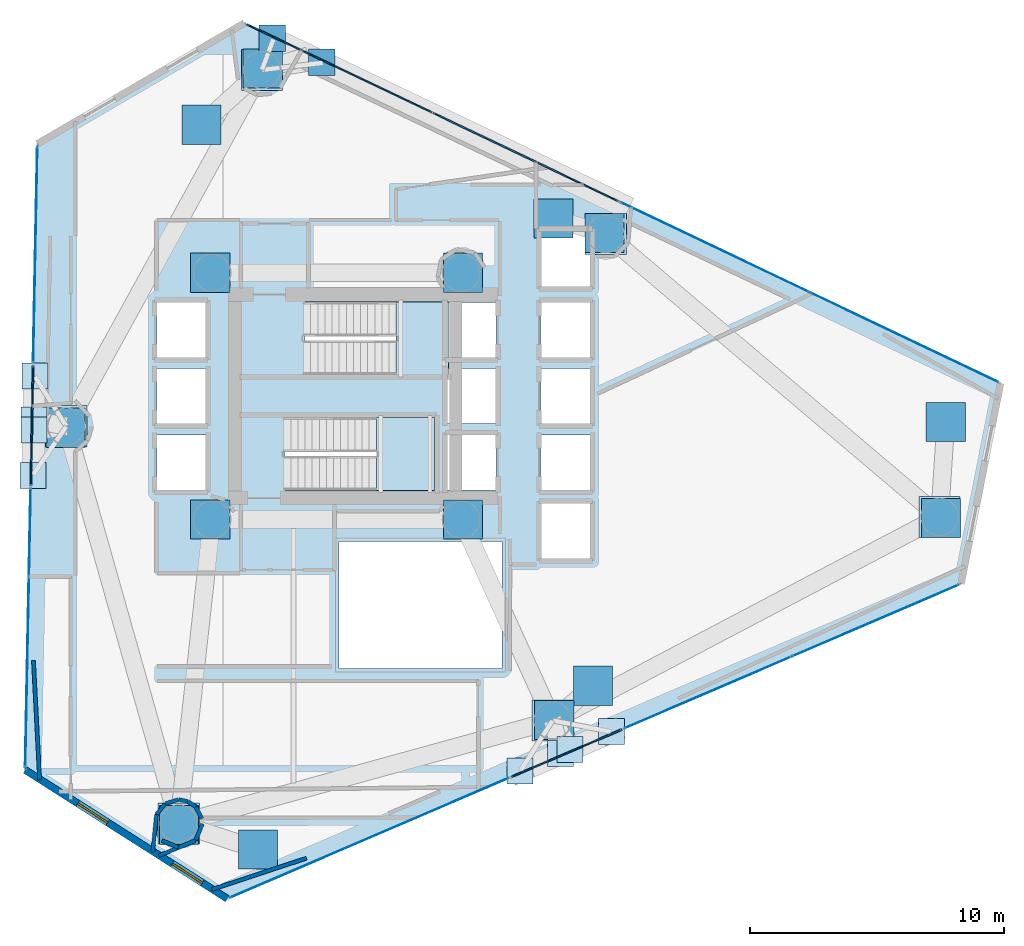
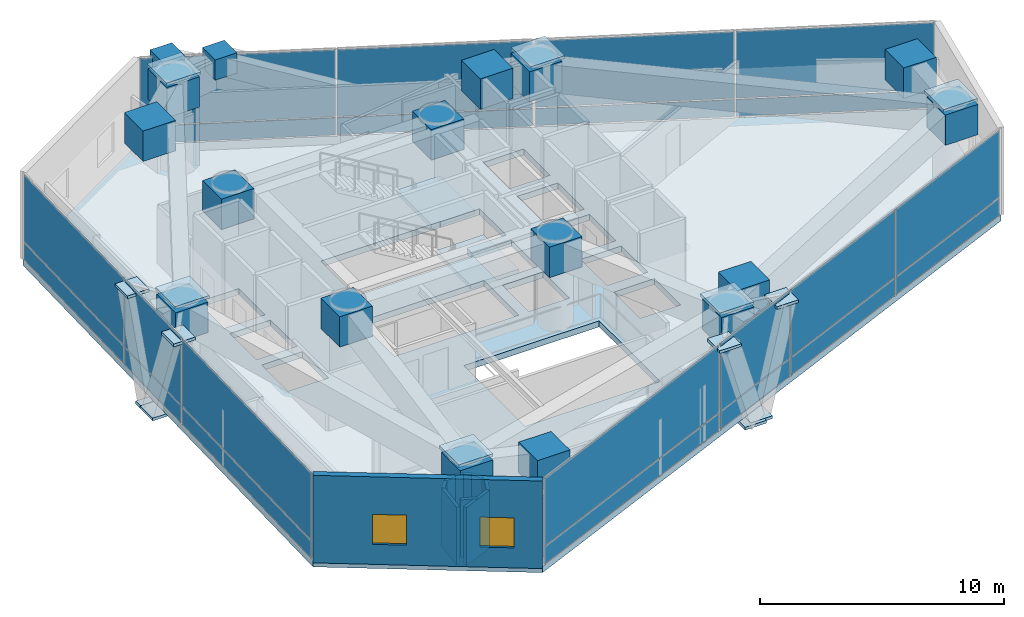
# One storey, part 17 of 22: 53 plates, 12 walls, 3 slabs, 2 windows, 2 openings, 10 elements without a shape of their own.
"""IFC4 building model written with IfcOpenShell, lengths in metres."""

from ifc_helpers import new_model, si_unit, direction, frame, frame_2d, origin, origin_2d, place, context, subcontext, project, spatial, polyline, rectangle, outline, extrude, material, layer, layer_set, type_object, element, fill, aggregate, save


model = new_model("IFC4")

# Units and contexts
model_context = context("Model", 3, precision=1e-05, world=origin(), true_north=direction((0.0, 1.0)))
body_context = subcontext(model_context, "Body", "Model", "MODEL_VIEW")
ifc_project = project(units=[si_unit("LENGTHUNIT", "METRE"), si_unit("AREAUNIT", "SQUARE_METRE"), si_unit("VOLUMEUNIT", "CUBIC_METRE"), si_unit("PLANEANGLEUNIT", "RADIAN"), si_unit("MASSUNIT", "GRAM", prefix="KILO")], contexts=[model_context])

# Site, building, storey
site_placement = place(None, origin())
site = spatial("IfcSite", under=ifc_project, at=site_placement, CompositionType="ELEMENT")
building_placement = place(site_placement, origin())
building = spatial("IfcBuilding", under=site, at=building_placement, Name="Qianvela Tower", CompositionType="ELEMENT")
storey_placement = place(building_placement, frame((0.0, 0.0, 138.5)))
storey = spatial("IfcBuildingStorey", under=building, at=storey_placement, Name="L35", CompositionType="ELEMENT", Elevation=138.5)

# Curtain wall, plates
ifc_material_1 = material(Name="Anodised Architectural Aluminium and Insulated Spandrel Panel", Category="aluminium")
ifc_layer_1 = layer(ifc_material_1, 0.179931640625)
ifc_layer_set_1 = layer_set([ifc_layer_1], Name="Anodised Architectural Aluminium and Insulated Spandrel Panel")
curtain_wall_type_1 = type_object("IfcCurtainWallType", Name="CW-BRACEBAY", PredefinedType="USERDEFINED", material=ifc_layer_set_1)
curtain_wall_1_placement = place(storey_placement, origin())
curtain_wall_1 = element("IfcCurtainWall", 1, at=curtain_wall_1_placement, inside=storey, type_object=curtain_wall_type_1, Name="L35 CW-BRACEBAY Curtain Wall 02B", ObjectType="CURTAIN_WALL_SYSTEM", PredefinedType="USERDEFINED")
ifc_material_2 = material(Name="Insulated Aluminium Spandrel Panel with Mineral-Wool Backpan", Category="aluminium")
ifc_layer_2 = layer(ifc_material_2, 0.06005859375)
ifc_layer_set_2 = layer_set([ifc_layer_2], Name="Insulated Aluminium Spandrel Panel with Mineral-Wool Backpan")
plate_type_1 = type_object("IfcPlateType", Name="CW-BRACEBAY-PNL", PredefinedType="CURTAIN_PANEL", material=ifc_layer_set_2)
plate_1_placement = place(storey_placement, frame((40.9306640625, 38.096435546875, 0.06494140625), z_axis=(0.0, 0.0, 1.0), x_axis=(-0.90278783208, 0.430086189325, 0.0)))
plate_1 = element("IfcPlate", 2, at=plate_1_placement, type_object=plate_type_1, Name="CW-9 panel 1.1", PredefinedType="CURTAIN_PANEL", context=body_context, shape_type="SweptSolid", body=[
    extrude(rectangle(XDim=8.04150390625, YDim=0.06005859375, at=origin_2d()), origin(), (0.0, 0.0, 1.0), 0.8525390625),
])
plate_2_placement = place(storey_placement, frame((40.9306640625, 38.096435546875, 0.982421875), z_axis=(0.0, 0.0, 1.0), x_axis=(-0.90278783208, 0.430086189325, 0.0)))
plate_2 = element("IfcPlate", 3, at=plate_2_placement, type_object=plate_type_1, Name="CW-9 panel 1.2", PredefinedType="CURTAIN_PANEL", context=body_context, shape_type="SweptSolid", body=[
    extrude(rectangle(XDim=8.04150390625, YDim=0.06005859375, at=origin_2d()), origin(), (0.0, 0.0, 1.0), 3.33251953125),
])
plate_3_placement = place(storey_placement, frame((33.612060546875, 41.5830078125, 0.06494140625), z_axis=(0.0, 0.0, 1.0), x_axis=(-0.90278783208, 0.430086189325, 0.0)))
plate_3 = element("IfcPlate", 4, at=plate_3_placement, type_object=plate_type_1, Name="CW-9 panel 2.1", PredefinedType="CURTAIN_PANEL", context=body_context, shape_type="SweptSolid", body=[
    extrude(rectangle(XDim=8.04150390625, YDim=0.06005859375, at=origin_2d()), origin(), (0.0, 0.0, 1.0), 0.8525390625),
])
plate_4_placement = place(storey_placement, frame((33.612060546875, 41.5830078125, 0.982421875), z_axis=(0.0, 0.0, 1.0), x_axis=(-0.90278783208, 0.430086189325, 0.0)))
plate_4 = element("IfcPlate", 5, at=plate_4_placement, type_object=plate_type_1, Name="CW-9 panel 2.2", PredefinedType="CURTAIN_PANEL", context=body_context, shape_type="SweptSolid", body=[
    extrude(rectangle(XDim=8.04150390625, YDim=0.06005859375, at=origin_2d()), origin(), (0.0, 0.0, 1.0), 3.33251953125),
])
aggregate(curtain_wall_1, [plate_1, plate_2, plate_3, plate_4])

curtain_wall_2_placement = place(storey_placement, origin())
curtain_wall_2 = element("IfcCurtainWall", 6, at=curtain_wall_2_placement, inside=storey, type_object=curtain_wall_type_1, Name="L35 CW-BRACEBAY Curtain Wall 04B", ObjectType="CURTAIN_WALL_SYSTEM", PredefinedType="USERDEFINED")
plate_5_placement = place(storey_placement, frame((21.526611328125, 27.54150390625, 0.06494140625), z_axis=(0.0, 0.0, 1.0), x_axis=(-0.019544422075, -0.99980898954, 0.0)))
plate_5 = element("IfcPlate", 7, at=plate_5_placement, type_object=plate_type_1, Name="CW-9 panel 1.1", PredefinedType="CURTAIN_PANEL", context=body_context, shape_type="SweptSolid", body=[
    extrude(rectangle(XDim=4.699951171875, YDim=0.06005859375, at=origin_2d()), origin(), (0.0, 0.0, 1.0), 0.8525390625),
])
plate_6_placement = place(storey_placement, frame((21.526611328125, 27.54150390625, 0.982421875), z_axis=(0.0, 0.0, 1.0), x_axis=(-0.019544422075, -0.99980898954, 0.0)))
plate_6 = element("IfcPlate", 8, at=plate_6_placement, type_object=plate_type_1, Name="CW-9 panel 1.2", PredefinedType="CURTAIN_PANEL", context=body_context, shape_type="SweptSolid", body=[
    extrude(rectangle(XDim=4.699951171875, YDim=0.06005859375, at=origin_2d()), origin(), (0.0, 0.0, 1.0), 3.33251953125),
])
aggregate(curtain_wall_2, [plate_5, plate_6])

curtain_wall_3_placement = place(storey_placement, origin())
curtain_wall_3 = element("IfcCurtainWall", 9, at=curtain_wall_3_placement, inside=storey, type_object=curtain_wall_type_1, Name="L35 CW-BRACEBAY Curtain Wall 06B", ObjectType="CURTAIN_WALL_SYSTEM", PredefinedType="USERDEFINED")
plate_7_placement = place(storey_placement, frame((42.5390625, 14.673095703125, 0.06494140625), z_axis=(0.0, 0.0, 1.0), x_axis=(0.918910825258, 0.394465328291, 0.0)))
plate_7 = element("IfcPlate", 10, at=plate_7_placement, type_object=plate_type_1, Name="CW-9 panel 1.1", PredefinedType="CURTAIN_PANEL", context=body_context, shape_type="SweptSolid", body=[
    extrude(rectangle(XDim=4.7099609375, YDim=0.06005859375, at=origin_2d()), origin(), (0.0, 0.0, 1.0), 0.8525390625),
])
plate_8_placement = place(storey_placement, frame((42.5390625, 14.673095703125, 0.982421875), z_axis=(0.0, 0.0, 1.0), x_axis=(0.918910825258, 0.394465328291, 0.0)))
plate_8 = element("IfcPlate", 11, at=plate_8_placement, type_object=plate_type_1, Name="CW-9 panel 1.2", PredefinedType="CURTAIN_PANEL", context=body_context, shape_type="SweptSolid", body=[
    extrude(rectangle(XDim=4.7099609375, YDim=0.06005859375, at=origin_2d()), origin(), (0.0, 0.0, 1.0), 3.33251953125),
])
aggregate(curtain_wall_3, [plate_7, plate_8])

ifc_material_3 = material(Name="Anodised Architectural Aluminium and Low-E Glass", Category="aluminium")
ifc_layer_3 = layer(ifc_material_3, 0.169921875)
ifc_layer_set_3 = layer_set([ifc_layer_3], Name="Anodised Architectural Aluminium and Low-E Glass")
curtain_wall_type_2 = type_object("IfcCurtainWallType", Name="CW-COLIV-Z34", PredefinedType="USERDEFINED", material=ifc_layer_set_3)
curtain_wall_4_placement = place(storey_placement, origin())
curtain_wall_4 = element("IfcCurtainWall", 12, at=curtain_wall_4_placement, inside=storey, type_object=curtain_wall_type_2, Name="L35 CW-COLIV-Z34 Curtain Wall 02A", ObjectType="CURTAIN_WALL_SYSTEM", PredefinedType="USERDEFINED")
ifc_material_4 = material(Name="Double-Silver Low-E Insulated Glass", Category="glass")
ifc_layer_4 = layer(ifc_material_4, 0.028076171875)
ifc_layer_set_4 = layer_set([ifc_layer_4], Name="Double-Silver Low-E Insulated Glass")
plate_type_2 = type_object("IfcPlateType", Name="CW-COLIV-Z34-PNL", PredefinedType="CURTAIN_PANEL", material=ifc_layer_set_4)
plate_9_placement = place(storey_placement, frame((55.796875, 31.01416015625, 0.06494140625), z_axis=(0.0, 0.0, 1.0), x_axis=(-0.90278625532, 0.430089499063, 0.0)))
plate_9 = element("IfcPlate", 13, at=plate_9_placement, type_object=plate_type_2, Name="CW-4 panel 1.1", PredefinedType="CURTAIN_PANEL", context=body_context, shape_type="SweptSolid", body=[
    extrude(rectangle(XDim=8.16748046875, YDim=0.028076171875, at=origin_2d()), origin(), (0.0, 0.0, 1.0), 0.8525390625),
])
plate_10_placement = place(storey_placement, frame((55.796875, 31.01416015625, 0.982421875), z_axis=(0.0, 0.0, 1.0), x_axis=(-0.90278625532, 0.430089499063, 0.0)))
plate_10 = element("IfcPlate", 14, at=plate_10_placement, type_object=plate_type_2, Name="CW-4 panel 1.2", PredefinedType="CURTAIN_PANEL", context=body_context, shape_type="SweptSolid", body=[
    extrude(rectangle(XDim=8.16748046875, YDim=0.028076171875, at=origin_2d()), origin(), (0.0, 0.0, 1.0), 3.33251953125),
])
plate_11_placement = place(storey_placement, frame((48.36474609375, 34.554931640625, 0.06494140625), z_axis=(0.0, 0.0, 1.0), x_axis=(-0.90278625532, 0.430089499063, 0.0)))
plate_11 = element("IfcPlate", 15, at=plate_11_placement, type_object=plate_type_2, Name="CW-4 panel 2.1", PredefinedType="CURTAIN_PANEL", context=body_context, shape_type="SweptSolid", body=[
    extrude(rectangle(XDim=8.16748046875, YDim=0.028076171875, at=origin_2d()), origin(), (0.0, 0.0, 1.0), 0.8525390625),
])
plate_12_placement = place(storey_placement, frame((48.36474609375, 34.554931640625, 0.982421875), z_axis=(0.0, 0.0, 1.0), x_axis=(-0.90278625532, 0.430089499063, 0.0)))
plate_12 = element("IfcPlate", 16, at=plate_12_placement, type_object=plate_type_2, Name="CW-4 panel 2.2", PredefinedType="CURTAIN_PANEL", context=body_context, shape_type="SweptSolid", body=[
    extrude(rectangle(XDim=8.16748046875, YDim=0.028076171875, at=origin_2d()), origin(), (0.0, 0.0, 1.0), 3.33251953125),
])
aggregate(curtain_wall_4, [plate_9, plate_10, plate_11, plate_12])

curtain_wall_5_placement = place(storey_placement, origin())
curtain_wall_5 = element("IfcCurtainWall", 17, at=curtain_wall_5_placement, inside=storey, type_object=curtain_wall_type_2, Name="L35 CW-COLIV-Z34 Curtain Wall 04A", ObjectType="CURTAIN_WALL_SYSTEM", PredefinedType="USERDEFINED")
plate_13_placement = place(storey_placement, frame((21.657958984375, 34.26025390625, 0.06494140625), z_axis=(0.0, 0.0, 1.0), x_axis=(-0.019547163079, -0.999808935955, 0.0)))
plate_13 = element("IfcPlate", 18, at=plate_13_placement, type_object=plate_type_2, Name="CW-4 panel 1.1", PredefinedType="CURTAIN_PANEL", context=body_context, shape_type="SweptSolid", body=[
    extrude(rectangle(XDim=8.47998046875, YDim=0.028076171875, at=origin_2d()), origin(), (0.0, 0.0, 1.0), 0.8525390625),
])
plate_14_placement = place(storey_placement, frame((21.657958984375, 34.26025390625, 0.982421875), z_axis=(0.0, 0.0, 1.0), x_axis=(-0.019547163079, -0.999808935955, 0.0)))
plate_14 = element("IfcPlate", 19, at=plate_14_placement, type_object=plate_type_2, Name="CW-4 panel 1.2", PredefinedType="CURTAIN_PANEL", context=body_context, shape_type="SweptSolid", body=[
    extrude(rectangle(XDim=8.47998046875, YDim=0.028076171875, at=origin_2d()), origin(), (0.0, 0.0, 1.0), 3.33251953125),
])
aggregate(curtain_wall_5, [plate_13, plate_14])

curtain_wall_6_placement = place(storey_placement, origin())
curtain_wall_6 = element("IfcCurtainWall", 20, at=curtain_wall_6_placement, inside=storey, type_object=curtain_wall_type_2, Name="L35 CW-COLIV-Z34 Curtain Wall 04C", ObjectType="CURTAIN_WALL_SYSTEM", PredefinedType="USERDEFINED")
plate_15_placement = place(storey_placement, frame((21.371337890625, 19.593994140625, 0.06494140625), z_axis=(0.0, 0.0, 1.0), x_axis=(-0.019542801881, -0.999809021211, 0.0)))
plate_15 = element("IfcPlate", 21, at=plate_15_placement, type_object=plate_type_2, Name="CW-4 panel 1.1", PredefinedType="CURTAIN_PANEL", context=body_context, shape_type="SweptSolid", body=[
    extrude(rectangle(XDim=10.93798828125, YDim=0.028076171875, at=origin_2d()), origin(), (0.0, 0.0, 1.0), 0.8525390625),
])
plate_16_placement = place(storey_placement, frame((21.371337890625, 19.593994140625, 0.982421875), z_axis=(0.0, 0.0, 1.0), x_axis=(-0.019542801881, -0.999809021211, 0.0)))
plate_16 = element("IfcPlate", 22, at=plate_16_placement, type_object=plate_type_2, Name="CW-4 panel 1.2", PredefinedType="CURTAIN_PANEL", context=body_context, shape_type="SweptSolid", body=[
    extrude(rectangle(XDim=10.93798828125, YDim=0.028076171875, at=origin_2d()), origin(), (0.0, 0.0, 1.0), 3.33251953125),
])
aggregate(curtain_wall_6, [plate_15, plate_16])

curtain_wall_7_placement = place(storey_placement, origin())
curtain_wall_7 = element("IfcCurtainWall", 23, at=curtain_wall_7_placement, inside=storey, type_object=curtain_wall_type_2, Name="L35 CW-COLIV-Z34 Curtain Wall 06A", ObjectType="CURTAIN_WALL_SYSTEM", PredefinedType="USERDEFINED")
plate_17_placement = place(storey_placement, frame((34.783447265625, 11.34375, 0.06494140625), z_axis=(0.0, 0.0, 1.0), x_axis=(0.918906863806, 0.394474556403, 0.0)))
plate_17 = element("IfcPlate", 24, at=plate_17_placement, type_object=plate_type_2, Name="CW-4 panel 1.1", PredefinedType="CURTAIN_PANEL", context=body_context, shape_type="SweptSolid", body=[
    extrude(rectangle(XDim=11.91015625, YDim=0.028076171875, at=origin_2d()), origin(), (0.0, 0.0, 1.0), 0.8525390625),
])
plate_18_placement = place(storey_placement, frame((34.783447265625, 11.34375, 0.982421875), z_axis=(0.0, 0.0, 1.0), x_axis=(0.918906863806, 0.394474556403, 0.0)))
plate_18 = element("IfcPlate", 25, at=plate_18_placement, type_object=plate_type_2, Name="CW-4 panel 1.2", PredefinedType="CURTAIN_PANEL", context=body_context, shape_type="SweptSolid", body=[
    extrude(rectangle(XDim=11.91015625, YDim=0.028076171875, at=origin_2d()), origin(), (0.0, 0.0, 1.0), 3.33251953125),
])
aggregate(curtain_wall_7, [plate_17, plate_18])

curtain_wall_8_placement = place(storey_placement, origin())
curtain_wall_8 = element("IfcCurtainWall", 26, at=curtain_wall_8_placement, inside=storey, type_object=curtain_wall_type_2, Name="L35 CW-COLIV-Z34 Curtain Wall 06C", ObjectType="CURTAIN_WALL_SYSTEM", PredefinedType="USERDEFINED")
plate_19_placement = place(storey_placement, frame((48.084228515625, 17.0537109375, 0.06494140625), z_axis=(0.0, 0.0, 1.0), x_axis=(0.918908041819, 0.394471812276, 0.0)))
plate_19 = element("IfcPlate", 27, at=plate_19_placement, type_object=plate_type_2, Name="CW-4 panel 1.1", PredefinedType="CURTAIN_PANEL", context=body_context, shape_type="SweptSolid", body=[
    extrude(rectangle(XDim=7.09912109375, YDim=0.028076171875, at=origin_2d()), origin(), (0.0, 0.0, 1.0), 0.8525390625),
])
plate_20_placement = place(storey_placement, frame((48.084228515625, 17.0537109375, 0.982421875), z_axis=(0.0, 0.0, 1.0), x_axis=(0.918908041819, 0.394471812276, 0.0)))
plate_20 = element("IfcPlate", 28, at=plate_20_placement, type_object=plate_type_2, Name="CW-4 panel 1.2", PredefinedType="CURTAIN_PANEL", context=body_context, shape_type="SweptSolid", body=[
    extrude(rectangle(XDim=7.09912109375, YDim=0.028076171875, at=origin_2d()), origin(), (0.0, 0.0, 1.0), 3.33251953125),
])
plate_21_placement = place(storey_placement, frame((54.667236328125, 19.879638671875, 0.06494140625), z_axis=(0.0, 0.0, 1.0), x_axis=(0.918908041819, 0.394471812276, 0.0)))
plate_21 = element("IfcPlate", 29, at=plate_21_placement, type_object=plate_type_2, Name="CW-4 panel 2.1", PredefinedType="CURTAIN_PANEL", context=body_context, shape_type="SweptSolid", body=[
    extrude(rectangle(XDim=7.09912109375, YDim=0.028076171875, at=origin_2d()), origin(), (0.0, 0.0, 1.0), 0.8525390625),
])
plate_22_placement = place(storey_placement, frame((54.667236328125, 19.879638671875, 0.982421875), z_axis=(0.0, 0.0, 1.0), x_axis=(0.918908041819, 0.394471812276, 0.0)))
plate_22 = element("IfcPlate", 30, at=plate_22_placement, type_object=plate_type_2, Name="CW-4 panel 2.2", PredefinedType="CURTAIN_PANEL", context=body_context, shape_type="SweptSolid", body=[
    extrude(rectangle(XDim=7.09912109375, YDim=0.028076171875, at=origin_2d()), origin(), (0.0, 0.0, 1.0), 3.33251953125),
])
aggregate(curtain_wall_8, [plate_19, plate_20, plate_21, plate_22])

# Plates
ifc_material_5 = material(Name="Steel Q420GJC", Category="steel")
ifc_layer_5 = layer(ifc_material_5, 0.139892578125)
ifc_layer_set_5 = layer_set([ifc_layer_5], Name="Steel Q420GJC")
plate_type_3 = type_object("IfcPlateType", Name="PT-GUSSET-NODE-140", PredefinedType="USERDEFINED", material=ifc_layer_set_5)
for number, where, z_axis, x_axis, name in (
    (31, (57.194091796875, 23.9580078125, 4.59521484375), (0.0, 0.0, 1.0), (1.0, 0.0, 0.0), "L35 Node Gusset Plate TOP"),
    (32, (44.071044921875, 35.070068359375, 4.59521484375), (0.0, 0.0, 1.0), (1.0, 0.0, 0.0), "L35 Node Gusset Plate TOP"),
    (33, (30.56396484375, 41.52099609375, 4.59521484375), (0.0, 0.0, 1.0), (1.0, 0.0, 0.0), "L35 Node Gusset Plate TOP"),
    (34, (22.8779296875, 27.51611328125, 4.59521484375), (0.0, 0.0, 1.0), (1.0, 0.0, 0.0), "L35 Node Gusset Plate TOP"),
    (35, (27.2919921875, 11.908935546875, 4.59521484375), (0.0, 0.0, 1.0), (1.0, 0.0, 0.0), "L35 Node Gusset Plate TOP"),
    (36, (41.988037109375, 15.95703125, 4.59521484375), (0.0, 0.0, 1.0), (1.0, 0.0, 0.0), "L35 Node Gusset Plate TOP"),
):
    element("IfcPlate", number, at=place(storey_placement, frame(where, z_axis=z_axis, x_axis=x_axis)), inside=storey, type_object=plate_type_3, Name=name, ObjectType="GUSSET_PLATE", PredefinedType="USERDEFINED", context=body_context, shape_type="SweptSolid", body=[
        extrude(rectangle(XDim=1.6201171875, YDim=1.6201171875, at=origin_2d()), origin(), (0.0, 0.0, 1.0), 0.139892578125),
    ])
for number, where, z_axis, x_axis, name in (
    (37, (32.910888671875, 41.828369140625, 3.58984375), (0.0, 0.0, 1.0), (1.0, 0.0, 0.0), "L35 Node Gusset Plate B"),
    (38, (30.961669921875, 42.757080078125, 3.58740234375), (0.0, 0.0, 1.0), (1.0, 0.0, 0.0), "L35 Node Gusset Plate B"),
):
    element("IfcPlate", number, at=place(storey_placement, frame(where, z_axis=z_axis, x_axis=x_axis)), inside=storey, type_object=plate_type_3, Name=name, ObjectType="GUSSET_PLATE", PredefinedType="USERDEFINED", context=body_context, shape_type="SweptSolid", body=[
        extrude(rectangle(XDim=1.0400390625, YDim=1.0400390625, at=origin_2d()), origin(), (0.0, 0.0, 1.0), 1.02001953125),
    ])
for number, where, z_axis, x_axis, name in (
    (39, (21.611083984375, 27.7607421875, -0.73291015625), (0.0, 0.0, 1.0), (1.0, 0.0, 0.0), "L35 Node Gusset Plate A"),
    (40, (21.64501953125, 29.501220703125, 4.0693359375), (0.0, 0.0, 1.0), (1.0, 0.0, 0.0), "L35 Node Gusset Plate B"),
    (41, (21.603271484375, 27.365478515625, -0.73291015625), (0.0, 0.0, 1.0), (1.0, 0.0, 0.0), "L35 Node Gusset Plate A"),
    (42, (21.568359375, 25.580078125, 4.06884765625), (0.0, 0.0, 1.0), (1.0, 0.0, 0.0), "L35 Node Gusset Plate B"),
    (43, (42.3046875, 14.65966796875, -0.73291015625), (0.0, 0.0, 1.0), (1.0, 0.0, 0.0), "L35 Node Gusset Plate A"),
    (44, (40.705810546875, 13.973388671875, 4.0693359375), (0.0, 0.0, 1.0), (1.0, 0.0, 0.0), "L35 Node Gusset Plate B"),
    (45, (42.66796875, 14.815673828125, -0.73291015625), (0.0, 0.0, 1.0), (1.0, 0.0, 0.0), "L35 Node Gusset Plate A"),
    (46, (44.309814453125, 15.520263671875, 4.06884765625), (0.0, 0.0, 1.0), (1.0, 0.0, 0.0), "L35 Node Gusset Plate B"),
):
    element("IfcPlate", number, at=place(storey_placement, frame(where, z_axis=z_axis, x_axis=x_axis)), inside=storey, type_object=plate_type_3, Name=name, ObjectType="GUSSET_PLATE", PredefinedType="USERDEFINED", context=body_context, shape_type="SweptSolid", body=[
        extrude(rectangle(XDim=1.02001953125, YDim=1.02001953125, at=origin_2d()), origin(), (0.0, 0.0, 1.0), 0.139892578125),
    ])
for number, where, z_axis, x_axis, name in (
    (47, (28.534912109375, 23.85009765625, 2.91796875), (0.0, 0.0, 1.0), (1.0, 0.0, 0.0), "L35 Node Gusset Plate A"),
    (48, (38.465087890625, 23.85009765625, 2.91796875), (0.0, 0.0, 1.0), (1.0, 0.0, 0.0), "L35 Node Gusset Plate B"),
    (49, (28.534912109375, 33.550048828125, 2.91796875), (0.0, 0.0, 1.0), (1.0, 0.0, 0.0), "L35 Node Gusset Plate A"),
    (50, (38.465087890625, 33.550048828125, 2.91796875), (0.0, 0.0, 1.0), (1.0, 0.0, 0.0), "L35 Node Gusset Plate B"),
    (51, (57.24365234375, 23.916015625, 2.91796875), (0.0, 0.0, 1.0), (1.0, 0.0, 0.0), "L35 Node Gusset Plate A"),
    (52, (44.021484375, 35.112060546875, 2.91796875), (0.0, 0.0, 1.0), (1.0, 0.0, 0.0), "L35 Node Gusset Plate B"),
    (53, (30.59521484375, 41.577880859375, 2.91796875), (0.0, 0.0, 1.0), (1.0, 0.0, 0.0), "L35 Node Gusset Plate A"),
    (54, (22.8466796875, 27.458984375, 2.91796875), (0.0, 0.0, 1.0), (1.0, 0.0, 0.0), "L35 Node Gusset Plate B"),
    (55, (27.309814453125, 11.846435546875, 2.91796875), (0.0, 0.0, 1.0), (1.0, 0.0, 0.0), "L35 Node Gusset Plate B"),
    (56, (42.05078125, 15.974365234375, 2.91796875), (0.0, 0.0, 1.0), (1.0, 0.0, 0.0), "L35 Node Gusset Plate B"),
    (57, (57.438232421875, 27.682861328125, 2.91796875), (0.0, 0.0, 1.0), (1.0, 0.0, 0.0), "L35 Node Gusset Plate B"),
    (58, (42.020751953125, 35.687744140625, 2.91796875), (0.0, 0.0, 1.0), (1.0, 0.0, 0.0), "L35 Node Gusset Plate B"),
    (59, (28.186767578125, 39.367431640625, 2.91796875), (0.0, 0.0, 1.0), (1.0, 0.0, 0.0), "L35 Node Gusset Plate B"),
    (60, (30.40869140625, 10.888916015625, 2.91796875), (0.0, 0.0, 1.0), (1.0, 0.0, 0.0), "L35 Node Gusset Plate B"),
    (61, (43.57421875, 17.3212890625, 2.91796875), (0.0, 0.0, 1.0), (1.0, 0.0, 0.0), "L35 Node Gusset Plate B"),
):
    element("IfcPlate", number, at=place(storey_placement, frame(where, z_axis=z_axis, x_axis=x_axis)), inside=storey, type_object=plate_type_3, Name=name, ObjectType="GUSSET_PLATE", PredefinedType="USERDEFINED", context=body_context, shape_type="SweptSolid", body=[
        extrude(rectangle(XDim=1.5400390625, YDim=1.5400390625, at=origin_2d()), origin(), (0.0, 0.0, 1.0), 1.52001953125),
    ])

# Stair, slab
ifc_material_6 = material(Name="Concrete C40", Category="concrete")
stair_type = type_object("IfcStairType", Name="ST-DOGLEG-1350-R164-N28", PredefinedType="HALF_TURN_STAIR", material=ifc_material_6)
stair_1_placement = place(storey_placement, origin())
stair_1 = element("IfcStair", 62, at=stair_1_placement, inside=storey, type_object=stair_type, Name="L35 Smoke-Proof Core Stair ST-1", PredefinedType="HALF_TURN_STAIR")
ifc_material_7 = material(Name="Concrete C40", Category="concrete")
ifc_layer_6 = layer(ifc_material_7, 0.199951171875)
ifc_layer_set_6 = layer_set([ifc_layer_6], Name="Concrete C40")
slab_type_1 = type_object("IfcSlabType", Name="SL-STAIR-LANDING-200", PredefinedType="LANDING", material=ifc_layer_set_6)
slab_1_placement = place(storey_placement, frame((0.0, 0.0, 2.10009765625)))
slab_1 = element("IfcSlab", 63, at=slab_1_placement, type_object=slab_type_1, Name="ST-1 landing 1", PredefinedType="LANDING", context=body_context, shape_type="SweptSolid", body=[
    extrude(outline(polyline([(35.840087890625, 29.5400390625), (37.89990234375, 29.5400390625), (37.89990234375, 32.39990234375), (35.840087890625, 32.39990234375), (35.840087890625, 29.5400390625)])), origin(), (0.0, 0.0, 1.0), 0.199951171875),
])
aggregate(stair_1, [slab_1])

stair_2_placement = place(storey_placement, origin())
stair_2 = element("IfcStair", 64, at=stair_2_placement, inside=storey, type_object=stair_type, Name="L35 Smoke-Proof Core Stair ST-2", PredefinedType="HALF_TURN_STAIR")
slab_2_placement = place(storey_placement, frame((0.0, 0.0, 2.10009765625)))
slab_2 = element("IfcSlab", 65, at=slab_2_placement, type_object=slab_type_1, Name="ST-2 landing 1", PredefinedType="LANDING", context=body_context, shape_type="SweptSolid", body=[
    extrude(outline(polyline([(35.06005859375, 25.0), (37.35009765625, 25.0), (37.35009765625, 27.860107421875), (35.06005859375, 27.860107421875), (35.06005859375, 25.0)])), origin(), (0.0, 0.0, 1.0), 0.199951171875),
])
aggregate(stair_2, [slab_2])

# Slab
ifc_material_8 = material(Name="Concrete C40", Category="concrete")
ifc_layer_7 = layer(ifc_material_8, 0.300048828125)
ifc_layer_set_7 = layer_set([ifc_layer_7], Name="Concrete C40")
slab_type_2 = type_object("IfcSlabType", Name="SL-TRANS-300", PredefinedType="FLOOR", material=ifc_layer_set_7)
slab_3_placement = place(storey_placement, frame((0.0, 0.0, -0.300048828125)))
element("IfcSlab", 66, at=slab_3_placement, inside=storey, type_object=slab_type_2, Name="L35 Composite Structural Floor Slab", PredefinedType="FLOOR", context=body_context, shape_type="SweptSolid", body=[
    extrude(outline(polyline([(58.03466796875, 21.3251953125), (59.58740234375, 29.20849609375), (29.87841796875, 43.36181640625), (21.7431640625, 38.614501953125), (21.26220703125, 14.010986328125), (29.20556640625, 8.949462890625), (58.03466796875, 21.3251953125)]), holes=[polyline([(40.0, 23.0), (33.60009765625, 23.0), (33.60009765625, 18.0), (40.0, 18.0), (40.0, 23.0)]), polyline([(28.360107421875, 25.02001953125), (28.360107421875, 27.179931640625), (26.43994140625, 27.179931640625), (26.43994140625, 25.02001953125), (28.360107421875, 25.02001953125)]), polyline([(37.35009765625, 25.0), (37.35009765625, 27.860107421875), (31.469970703125, 27.860107421875), (31.469970703125, 25.0), (37.35009765625, 25.0)]), polyline([(28.360107421875, 27.6201171875), (28.360107421875, 29.780029296875), (26.43994140625, 29.780029296875), (26.43994140625, 27.6201171875), (28.360107421875, 27.6201171875)]), polyline([(37.89990234375, 32.3798828125), (37.89990234375, 32.39990234375), (32.25, 32.39990234375), (32.25, 29.5400390625), (37.840087890625, 29.5400390625), (37.840087890625, 27.6201171875), (39.760009765625, 27.6201171875), (39.760009765625, 29.780029296875), (37.89990234375, 29.780029296875), (37.89990234375, 30.219970703125), (39.760009765625, 30.219970703125), (39.760009765625, 32.3798828125), (37.89990234375, 32.3798828125)]), polyline([(28.360107421875, 30.219970703125), (28.360107421875, 32.3798828125), (26.43994140625, 32.3798828125), (26.43994140625, 30.219970703125), (28.360107421875, 30.219970703125)]), polyline([(43.4599609375, 24.47998046875), (41.5400390625, 24.47998046875), (41.5400390625, 22.320068359375), (43.4599609375, 22.320068359375), (43.4599609375, 24.47998046875)]), polyline([(39.760009765625, 25.02001953125), (39.760009765625, 27.179931640625), (37.840087890625, 27.179931640625), (37.840087890625, 25.02001953125), (39.760009765625, 25.02001953125)]), polyline([(43.4599609375, 25.02001953125), (43.4599609375, 27.179931640625), (41.5400390625, 27.179931640625), (41.5400390625, 25.02001953125), (43.4599609375, 25.02001953125)]), polyline([(43.4599609375, 27.6201171875), (43.4599609375, 29.780029296875), (41.5400390625, 29.780029296875), (41.5400390625, 27.6201171875), (43.4599609375, 27.6201171875)]), polyline([(43.4599609375, 30.219970703125), (43.4599609375, 32.3798828125), (41.5400390625, 32.3798828125), (41.5400390625, 30.219970703125), (43.4599609375, 30.219970703125)]), polyline([(43.4599609375, 33.02001953125), (43.4599609375, 35.179931640625), (41.5400390625, 35.179931640625), (41.5400390625, 33.02001953125), (43.4599609375, 33.02001953125)])]), origin(), (0.0, 0.0, 1.0), 0.300048828125),
])

# Wall, openings, windows
ifc_material_9 = material(Name="Terracotta Cladding on Concrete C40", Category="masonry")
ifc_layer_8 = layer(ifc_material_9, 0.280029296875)
ifc_layer_set_8 = layer_set([ifc_layer_8], Name="Terracotta Cladding on Concrete C40")
wall_type_1 = type_object("IfcWallType", Name="TERRACOTTA-WALL-280", PredefinedType="SOLIDWALL", material=ifc_layer_set_8)
wall_1_placement = place(storey_placement, frame((21.26220703125, 14.010986328125, 0.0), z_axis=(0.0, 0.0, 1.0), x_axis=(0.843341146408, -0.537378554442, 0.0)))
wall_1 = element("IfcWall", 67, at=wall_1_placement, inside=storey, type_object=wall_type_1, Name="L35 Terracotta Chamfer Facet Wall 5", PredefinedType="SOLIDWALL", context=body_context, shape_type="SweptSolid", body=[
    extrude(rectangle(XDim=9.4189453125, YDim=0.280029296875, at=frame_2d((4.70947265625, 0.0))), origin(), (0.0, 0.0, 1.0), 4.3798828125),
])
opening_1_placement = place(wall_1_placement, frame((2.44580078125, 0.0, 1.0)))
opening_1 = element("IfcOpeningElement", 68, at=opening_1_placement, cuts=wall_1, Name="Opening W-06", PredefinedType="OPENING", context=body_context, shape_type="SweptSolid", body=[
    extrude(rectangle(XDim=1.39990234375, YDim=1.5, at=frame_2d((0.699951171875, 0.75))), frame((0.0, 0.14990234375, 0.0), z_axis=(0.0, -1.0, 0.0), x_axis=(1.0, 0.0, 0.0)), (0.0, 0.0, 1.0), 0.300048828125),
])
opening_2_placement = place(wall_1_placement, frame((6.853271484375, 0.0, 1.0)))
opening_2 = element("IfcOpeningElement", 69, at=opening_2_placement, cuts=wall_1, Name="Opening W-06", PredefinedType="OPENING", context=body_context, shape_type="SweptSolid", body=[
    extrude(rectangle(XDim=1.39990234375, YDim=1.5, at=frame_2d((0.699951171875, 0.75))), frame((0.0, 0.14990234375, 0.0), z_axis=(0.0, -1.0, 0.0), x_axis=(1.0, 0.0, 0.0)), (0.0, 0.0, 1.0), 0.300048828125),
])
ifc_material_10 = material(Name="Thermally Broken Aluminium and Low-E Glass", Category="aluminium")
window_type = type_object("IfcWindowType", Name="WIN-REF-1400x1500", PartitioningType="SINGLE_PANEL", PredefinedType="WINDOW", material=ifc_material_10)
window_1_placement = place(opening_1_placement, origin())
window_1 = element("IfcWindow", 70, at=window_1_placement, inside=storey, type_object=window_type, Name="L35 Chamfer Facet Window 5.1", OverallHeight=1.5, OverallWidth=1.39990234375, PartitioningType="SINGLE_PANEL", PredefinedType="WINDOW", context=body_context, shape_type="SweptSolid", body=[
    extrude(rectangle(XDim=1.39990234375, YDim=1.5, at=frame_2d((0.699951171875, 0.75))), frame((0.0, 0.030029296875, 0.0), z_axis=(0.0, -1.0, 0.0), x_axis=(1.0, 0.0, 0.0)), (0.0, 0.0, 1.0), 0.06005859375),
])
fill(opening_1, window_1)
window_2_placement = place(opening_2_placement, origin())
window_2 = element("IfcWindow", 71, at=window_2_placement, inside=storey, type_object=window_type, Name="L35 Chamfer Facet Window 5.2", OverallHeight=1.5, OverallWidth=1.39990234375, PartitioningType="SINGLE_PANEL", PredefinedType="WINDOW", context=body_context, shape_type="SweptSolid", body=[
    extrude(rectangle(XDim=1.39990234375, YDim=1.5, at=frame_2d((0.699951171875, 0.75))), frame((0.0, 0.030029296875, 0.0), z_axis=(0.0, -1.0, 0.0), x_axis=(1.0, 0.0, 0.0)), (0.0, 0.0, 1.0), 0.06005859375),
])
fill(opening_2, window_2)

# Walls
ifc_material_11 = material(Name="Fire-Rated Acoustic Gypsum Board")
ifc_layer_9 = layer(ifc_material_11, 0.14990234375)
ifc_layer_set_9 = layer_set([ifc_layer_9], Name="Fire-Rated Acoustic Gypsum Board")
wall_type_2 = type_object("IfcWallType", Name="WT-CORR-150", PredefinedType="PARTITIONING", material=ifc_layer_set_9)
wall_2_placement = place(storey_placement, frame((21.830810546875, 13.62841796875, 0.0), z_axis=(0.0, 0.0, 1.0), x_axis=(-0.052078231373, 0.998643008195, 0.0)))
element("IfcWall", 72, at=wall_2_placement, inside=storey, type_object=wall_type_2, Name="L35 Partition 36 seg 1", PredefinedType="PARTITIONING", context=body_context, shape_type="SweptSolid", body=[
    extrude(rectangle(XDim=4.692626953125, YDim=0.14990234375, at=frame_2d((2.34619140625, 0.0))), origin(), (0.0, 0.0, 1.0), 2.89990234375),
])
wall_3_placement = place(storey_placement, frame((28.210693359375, 12.1044921875, 0.0), z_axis=(0.0, 0.0, 1.0), x_axis=(-0.472156867062, 0.881514544909, 0.0)))
element("IfcWall", 73, at=wall_3_placement, inside=storey, type_object=wall_type_2, Name="L35 Partition 78", PredefinedType="PARTITIONING", context=body_context, shape_type="SweptSolid", body=[
    extrude(rectangle(XDim=0.52490234375, YDim=0.14990234375, at=frame_2d((0.262451171875, 0.0))), origin(), (0.0, 0.0, 1.0), 2.89990234375),
])
for number, where, z_axis, x_axis, name in (
    (74, (27.95263671875, 12.578125, 0.0), (0.0, 0.0, 1.0), (-0.831414960455, 0.555652016582, 0.0), "L35 Partition 79"),
    (75, (27.646240234375, 12.780029296875, 0.0), (0.0, 0.0, 1.0), (-0.980739067346, 0.195322507101, 0.0), "L35 Partition 80"),
):
    element("IfcWall", number, at=place(storey_placement, frame(where, z_axis=z_axis, x_axis=x_axis)), inside=storey, type_object=wall_type_2, Name=name, PredefinedType="PARTITIONING", context=body_context, shape_type="SweptSolid", body=[
        extrude(rectangle(XDim=0.35498046875, YDim=0.14990234375, at=frame_2d((0.177490234375, 0.0))), origin(), (0.0, 0.0, 1.0), 2.89990234375),
    ])
for number, where, z_axis, x_axis, name in (
    (76, (27.282958984375, 12.8486328125, 0.0), (0.0, 0.0, 1.0), (-0.956969979386, -0.290186937255, 0.0), "L35 Partition 81"),
    (77, (26.762451171875, 12.685302734375, 0.0), (0.0, 0.0, 1.0), (-0.634394494275, -0.773009460249, 0.0), "L35 Partition 82"),
):
    element("IfcWall", number, at=place(storey_placement, frame(where, z_axis=z_axis, x_axis=x_axis)), inside=storey, type_object=wall_type_2, Name=name, PredefinedType="PARTITIONING", context=body_context, shape_type="SweptSolid", body=[
        extrude(rectangle(XDim=0.5283203125, YDim=0.14990234375, at=frame_2d((0.26416015625, 0.0))), origin(), (0.0, 0.0, 1.0), 2.89990234375),
    ])
wall_4_placement = place(storey_placement, frame((26.42041015625, 12.26025390625, 0.0), z_axis=(0.0, 0.0, 1.0), x_axis=(-0.098157475799, -0.995170894844, 0.0)))
element("IfcWall", 78, at=wall_4_placement, inside=storey, type_object=wall_type_2, Name="L35 Partition 83", PredefinedType="PARTITIONING", context=body_context, shape_type="SweptSolid", body=[
    extrude(rectangle(XDim=1.472412109375, YDim=0.14990234375, at=frame_2d((0.736328125, 0.0))), origin(), (0.0, 0.0, 1.0), 2.89990234375),
])
wall_5_placement = place(storey_placement, frame((26.63671875, 11.23681640625, 0.0), z_axis=(0.0, 0.0, 1.0), x_axis=(0.923935648299, -0.382547928764, 0.0)))
element("IfcWall", 79, at=wall_5_placement, inside=storey, type_object=wall_type_2, Name="L35 Partition 85", PredefinedType="PARTITIONING", context=body_context, shape_type="SweptSolid", body=[
    extrude(rectangle(XDim=0.6962890625, YDim=0.14990234375, at=frame_2d((0.34814453125, 0.0))), origin(), (0.0, 0.0, 1.0), 2.89990234375),
])
wall_6_placement = place(storey_placement, frame((26.515869140625, 10.64404296875, 0.0), z_axis=(0.0, 0.0, 1.0), x_axis=(0.923909287475, 0.382611589628, 0.0)))
element("IfcWall", 80, at=wall_6_placement, inside=storey, type_object=wall_type_2, Name="L35 Partition 86", PredefinedType="PARTITIONING", context=body_context, shape_type="SweptSolid", body=[
    extrude(rectangle(XDim=1.54931640625, YDim=0.14990234375, at=frame_2d((0.774658203125, 0.0))), origin(), (0.0, 0.0, 1.0), 2.89990234375),
])
wall_7_placement = place(storey_placement, frame((27.964111328125, 11.253662109375, 0.0), z_axis=(0.0, 0.0, 1.0), x_axis=(0.381929177829, 0.92419159438, 0.0)))
element("IfcWall", 81, at=wall_7_placement, inside=storey, type_object=wall_type_2, Name="L35 Partition 87", PredefinedType="PARTITIONING", context=body_context, shape_type="SweptSolid", body=[
    extrude(rectangle(XDim=0.697509765625, YDim=0.14990234375, at=frame_2d((0.3486328125, 0.0))), origin(), (0.0, 0.0, 1.0), 2.89990234375),
])
wall_8_placement = place(storey_placement, frame((32.3173828125, 10.54638671875, 0.0), z_axis=(0.0, 0.0, 1.0), x_axis=(-0.949354448722, -0.314207146149, 0.0)))
element("IfcWall", 82, at=wall_8_placement, inside=storey, type_object=wall_type_2, Name="L35 Partition 89 seg 1", PredefinedType="PARTITIONING", context=body_context, shape_type="SweptSolid", body=[
    extrude(rectangle(XDim=3.916015625, YDim=0.14990234375, at=frame_2d((1.9580078125, 0.0))), origin(), (0.0, 0.0, 1.0), 2.89990234375),
])

save(model, "model.ifc")
